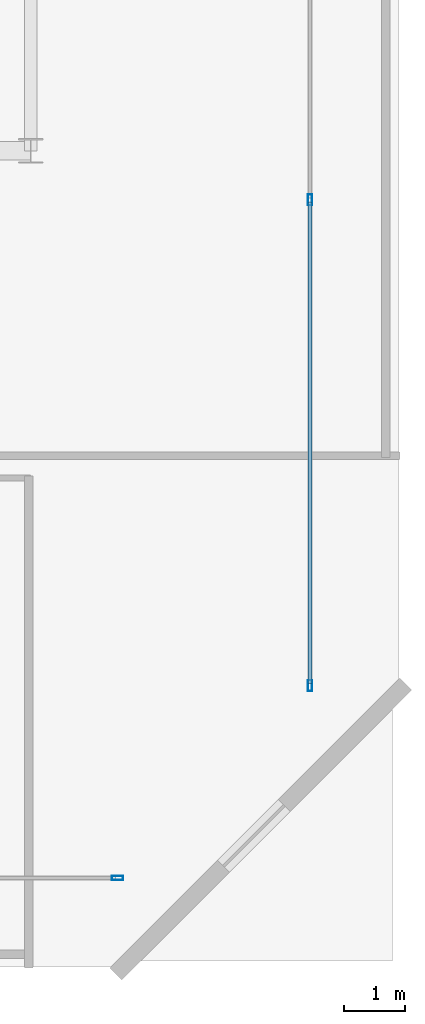
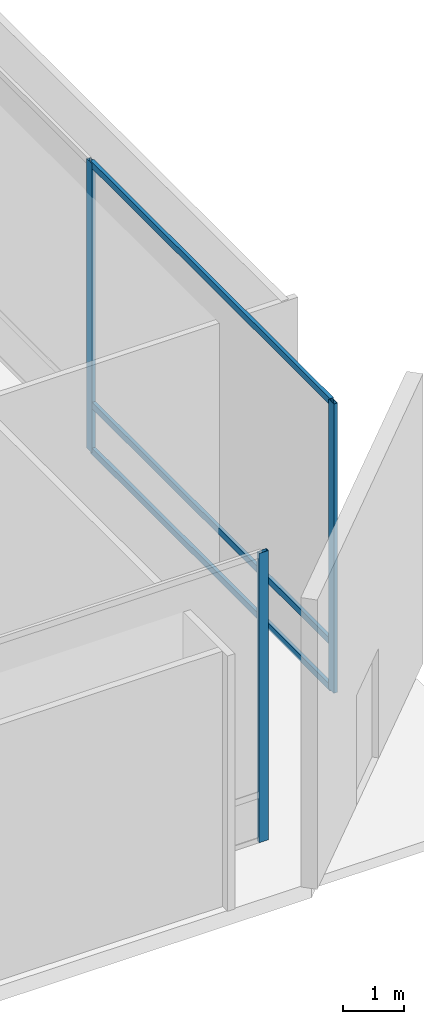
# One storey, part 23 of 40: 6 members, 2 elements without a shape of their own.
"""IFC4 building model written with IfcOpenShell, lengths in metres."""

from ifc_helpers import new_model, si_unit, direction, frame, origin, origin_2d, place, context, subcontext, project, spatial, hollow_rectangle, extrude, material, layer, layer_set, material_profile, profile_set, type_object, element, aggregate, save


model = new_model("IFC4")

# Units and contexts
model_context = context("Model", 3, precision=1e-05, world=origin(), true_north=direction((0.0, 1.0)))
body_context = subcontext(model_context, "Body", "Model", "MODEL_VIEW")
ifc_project = project(units=[si_unit("LENGTHUNIT", "METRE"), si_unit("AREAUNIT", "SQUARE_METRE"), si_unit("VOLUMEUNIT", "CUBIC_METRE"), si_unit("PLANEANGLEUNIT", "RADIAN"), si_unit("MASSUNIT", "GRAM", prefix="KILO")], contexts=[model_context])

# Site, building, storey
site_placement = place(None, origin())
site = spatial("IfcSite", under=ifc_project, at=site_placement, CompositionType="ELEMENT")
building_placement = place(site_placement, origin())
building = spatial("IfcBuilding", under=site, at=building_placement, Name="Qianvela Tower", CompositionType="ELEMENT")
storey_placement = place(building_placement, origin())
storey = spatial("IfcBuildingStorey", under=building, at=storey_placement, Name="L00", CompositionType="ELEMENT", Elevation=0.0)

# Curtain wall, member
ifc_material_1 = material(Name="Anodised Architectural Aluminium and Low-E Glass", Category="aluminium")
ifc_layer = layer(ifc_material_1, 0.199951171875)
ifc_layer_set = layer_set([ifc_layer], Name="Anodised Architectural Aluminium and Low-E Glass")
curtain_wall_type = type_object("IfcCurtainWallType", Name="CW-CONCOURSE", PredefinedType="USERDEFINED", material=ifc_layer_set)
curtain_wall_1_placement = place(storey_placement, origin())
curtain_wall_1 = element("IfcCurtainWall", 1, at=curtain_wall_1_placement, inside=storey, type_object=curtain_wall_type, Name="L00 CW-CONCOURSE Curtain Wall 01B", ObjectType="CURTAIN_WALL_SYSTEM", PredefinedType="USERDEFINED")
ifc_material_2 = material(Name="Anodised Architectural Aluminium 6063-T6", Category="aluminium")
ifc_material_profile_1 = material_profile(ifc_material_2, hollow_rectangle(XDim=0.070068359375, YDim=0.179931640625, WallThickness=0.0048828125, at=origin_2d()), Name="ALU-MULL-70x180")
ifc_profile_set_1 = profile_set([ifc_material_profile_1], Name="Anodised Architectural Aluminium 6063-T6")
member_type_1 = type_object("IfcMemberType", Name="CW-CONCOURSE-MULL", PredefinedType="MULLION", material=ifc_profile_set_1)
member_1_placement = place(storey_placement, frame((68.9150390625, 2.949951171875, 0.0), z_axis=(0.0, 0.0, 1.0), x_axis=(0.0, 1.0, 0.0)))
member_1 = element("IfcMember", 2, at=member_1_placement, type_object=member_type_1, Name="CW-1 mullion 4", PredefinedType="MULLION", context=body_context, shape_type="SweptSolid", body=[
    extrude(hollow_rectangle(XDim=0.070068359375, YDim=0.179931640625, WallThickness=0.0048828125, at=origin_2d()), origin(), (0.0, 0.0, 1.0), 5.780029296875),
])
aggregate(curtain_wall_1, [member_1])

# Curtain wall, members
curtain_wall_2_placement = place(storey_placement, origin())
curtain_wall_2 = element("IfcCurtainWall", 3, at=curtain_wall_2_placement, inside=storey, type_object=curtain_wall_type, Name="L00 CW-CONCOURSE Curtain Wall 03A", ObjectType="CURTAIN_WALL_SYSTEM", PredefinedType="USERDEFINED")
member_2_placement = place(storey_placement, frame((72.050048828125, 6.0849609375, 0.0), z_axis=(0.0, 0.0, 1.0), x_axis=(-1.0, 0.0, 0.0)))
member_2 = element("IfcMember", 4, at=member_2_placement, type_object=member_type_1, Name="CW-1 mullion 1", PredefinedType="MULLION", context=body_context, shape_type="SweptSolid", body=[
    extrude(hollow_rectangle(XDim=0.070068359375, YDim=0.179931640625, WallThickness=0.0048828125, at=origin_2d()), origin(), (0.0, 0.0, 1.0), 5.780029296875),
])
member_3_placement = place(storey_placement, frame((72.050048828125, 14.0, 0.0), z_axis=(0.0, 0.0, 1.0), x_axis=(-1.0, 0.0, 0.0)))
member_3 = element("IfcMember", 5, at=member_3_placement, type_object=member_type_1, Name="CW-1 mullion 2", PredefinedType="MULLION", context=body_context, shape_type="SweptSolid", body=[
    extrude(hollow_rectangle(XDim=0.070068359375, YDim=0.179931640625, WallThickness=0.0048828125, at=origin_2d()), origin(), (0.0, 0.0, 1.0), 5.780029296875),
])
ifc_material_3 = material(Name="Anodised Architectural Aluminium 6063-T6", Category="aluminium")
ifc_material_profile_2 = material_profile(ifc_material_3, hollow_rectangle(XDim=0.06494140625, YDim=0.1298828125, WallThickness=0.00439453125, at=origin_2d()), Name="ALU-TRAN-65x130")
ifc_profile_set_2 = profile_set([ifc_material_profile_2], Name="Anodised Architectural Aluminium 6063-T6")
member_type_2 = type_object("IfcMemberType", Name="CW-CONCOURSE-TRAN", PredefinedType="USERDEFINED", material=ifc_profile_set_2)
member_4_placement = place(storey_placement, frame((72.050048828125, 6.1201171875, 0.032470703125), z_axis=(0.0, 1.0, 0.0), x_axis=(-1.0, 0.0, 0.0)))
member_4 = element("IfcMember", 6, at=member_4_placement, type_object=member_type_2, Name="CW-1 transom 1.1", ObjectType="TRANSOM", PredefinedType="USERDEFINED", context=body_context, shape_type="SweptSolid", body=[
    extrude(hollow_rectangle(XDim=0.06494140625, YDim=0.1298828125, WallThickness=0.00439453125, at=origin_2d()), origin(), (0.0, 0.0, 1.0), 7.844970703125),
])
member_5_placement = place(storey_placement, frame((72.050048828125, 6.1201171875, 0.949951171875), z_axis=(0.0, 1.0, 0.0), x_axis=(-1.0, 0.0, 0.0)))
member_5 = element("IfcMember", 7, at=member_5_placement, type_object=member_type_2, Name="CW-1 transom 1.2", ObjectType="TRANSOM", PredefinedType="USERDEFINED", context=body_context, shape_type="SweptSolid", body=[
    extrude(hollow_rectangle(XDim=0.06494140625, YDim=0.1298828125, WallThickness=0.00439453125, at=origin_2d()), origin(), (0.0, 0.0, 1.0), 7.844970703125),
])
member_6_placement = place(storey_placement, frame((72.050048828125, 6.1201171875, 5.74755859375), z_axis=(0.0, 1.0, 0.0), x_axis=(-1.0, 0.0, 0.0)))
member_6 = element("IfcMember", 8, at=member_6_placement, type_object=member_type_2, Name="CW-1 transom 1.3", ObjectType="TRANSOM", PredefinedType="USERDEFINED", context=body_context, shape_type="SweptSolid", body=[
    extrude(hollow_rectangle(XDim=0.06494140625, YDim=0.1298828125, WallThickness=0.00439453125, at=origin_2d()), origin(), (0.0, 0.0, 1.0), 7.844970703125),
])
aggregate(curtain_wall_2, [member_2, member_3, member_4, member_5, member_6])

save(model, "model.ifc")
